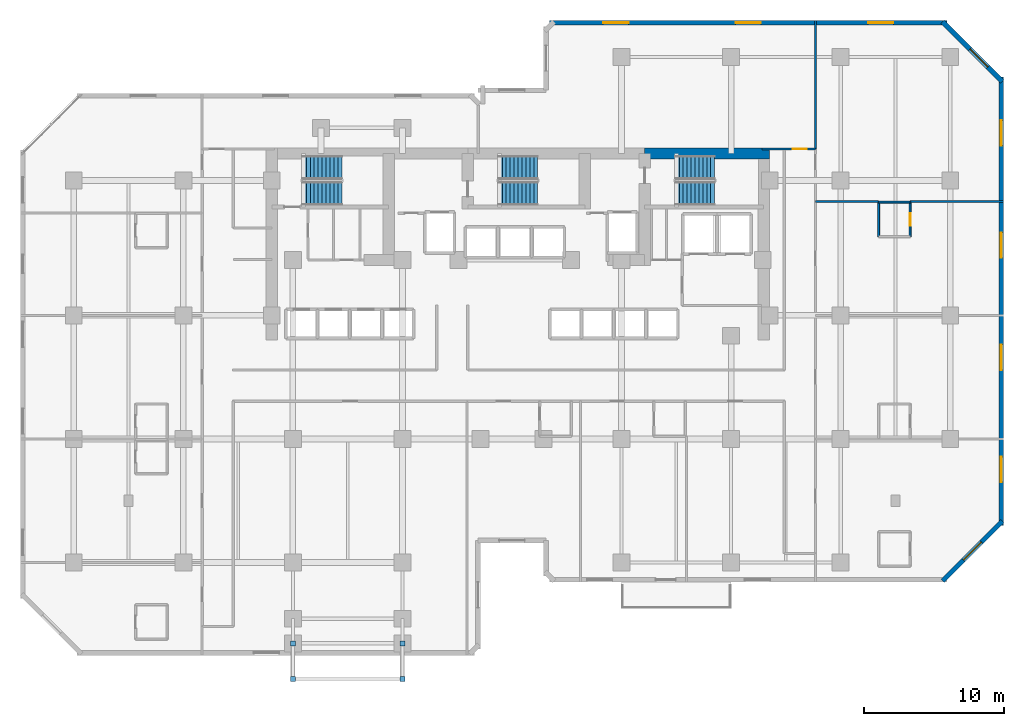
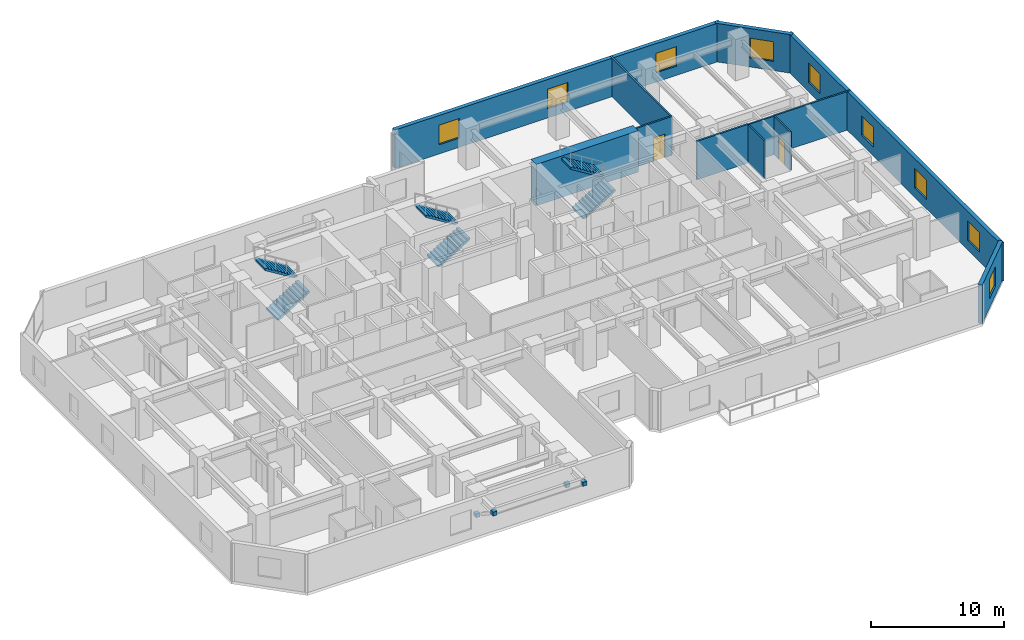
# One storey, part 10 of 12: 12 walls, 9 windows, 6 stair flights, 4 discrete accessories, 2 doors, 11 openings, 3 elements without a shape of their own.
"""IFC4 building model written with IfcOpenShell, lengths in metres."""

from ifc_helpers import new_model, si_unit, direction, frame, frame_2d, origin, origin_2d, place, context, subcontext, project, spatial, polyline, rectangle, outline, extrude, material, layer, layer_set, type_object, element, fill, aggregate, save


model = new_model("IFC4")

# Units and contexts
model_context = context("Model", 3, precision=1e-05, world=origin(), true_north=direction((0.0, 1.0)))
body_context = subcontext(model_context, "Body", "Model", "MODEL_VIEW")
ifc_project = project(units=[si_unit("LENGTHUNIT", "METRE"), si_unit("AREAUNIT", "SQUARE_METRE"), si_unit("VOLUMEUNIT", "CUBIC_METRE"), si_unit("PLANEANGLEUNIT", "RADIAN"), si_unit("MASSUNIT", "GRAM", prefix="KILO")], contexts=[model_context])

# Site, building, storey
site_placement = place(None, origin())
site = spatial("IfcSite", under=ifc_project, at=site_placement, CompositionType="ELEMENT")
building_placement = place(site_placement, origin())
building = spatial("IfcBuilding", under=site, at=building_placement, Name="Kestravale Grand Hotel", CompositionType="ELEMENT")
storey_placement = place(building_placement, frame((0.0, 0.0, 91.800048828125)))
storey = spatial("IfcBuildingStorey", under=building, at=storey_placement, Name="L22", CompositionType="ELEMENT", Elevation=91.800048828125)

# Wall
ifc_material_1 = material(Name="Concrete f'c 60 MPa", Category="concrete")
ifc_layer_1 = layer(ifc_material_1, 0.800048828125)
ifc_layer_set_1 = layer_set([ifc_layer_1], Name="EW-CORE-800")
wall_type_1 = type_object("IfcWallType", Name="EW-CORE-800", PredefinedType="SHEAR", material=ifc_layer_set_1)
wall_1_placement = place(storey_placement, frame((48.449951171875, 40.320068359375, 0.0), z_axis=(0.0, 0.0, 1.0), x_axis=(1.0, 0.0, 0.0)))
element("IfcWall", 1, at=wall_1_placement, inside=storey, type_object=wall_type_1, Name="L22 core shear wall N3", PredefinedType="SHEAR", context=body_context, shape_type="SweptSolid", body=[
    extrude(rectangle(XDim=8.8701171875, YDim=0.800048828125, at=frame_2d((4.43505859375, 0.0))), origin(), (0.0, 0.0, 1.0), 3.800048828125),
])

# Wall, opening, window
ifc_material_2 = material(Name="Precast concrete f'c 45 MPa", Category="concrete")
ifc_layer_2 = layer(ifc_material_2, 0.340087890625)
ifc_layer_set_2 = layer_set([ifc_layer_2], Name="EW-PREC-340")
wall_type_2 = type_object("IfcWallType", Name="EW-PREC-340", PredefinedType="SOLIDWALL", material=ifc_layer_set_2)
wall_2_placement = place(storey_placement, frame((69.651611328125, 9.891845703125, 0.0), z_axis=(0.0, 0.0, 1.0), x_axis=(0.707106781187, 0.707106781187, 0.0)))
wall_2 = element("IfcWall", 2, at=wall_2_placement, inside=storey, type_object=wall_type_2, Name="L22 fluted precast facade wall 8", PredefinedType="SOLIDWALL", context=body_context, shape_type="SweptSolid", body=[
    extrude(rectangle(XDim=6.019775390625, YDim=0.340087890625, at=frame_2d((3.009765625, 0.0))), origin(), (0.0, 0.0, 1.0), 3.5400390625),
])
opening_1_placement = place(wall_2_placement, frame((2.10986328125, 0.0, 0.85009765625)))
opening_1 = element("IfcOpeningElement", 3, at=opening_1_placement, cuts=wall_2, Name="Opening W-GUEST-1800", PredefinedType="OPENING", context=body_context, shape_type="SweptSolid", body=[
    extrude(rectangle(XDim=1.800048828125, YDim=1.800048828125, at=frame_2d((0.89990234375, 0.89990234375))), frame((0.0, 0.179931640625, 0.0), z_axis=(0.0, -1.0, 0.0), x_axis=(1.0, 0.0, 0.0)), (0.0, 0.0, 1.0), 0.360107421875),
])
ifc_material_3 = material(Name="Insulated low-E double glazing in aluminium frame", Category="aluminium")
window_type = type_object("IfcWindowType", Name="W-GUEST-1800", PartitioningType="DOUBLE_PANEL_VERTICAL", PredefinedType="WINDOW", material=ifc_material_3)
window_1_placement = place(opening_1_placement, origin())
window_1 = element("IfcWindow", 4, at=window_1_placement, inside=storey, type_object=window_type, Name="L22 exterior window 8.1", OverallHeight=1.800048828125, OverallWidth=1.800048828125, PartitioningType="SINGLE_PANEL", PredefinedType="WINDOW", context=body_context, shape_type="SweptSolid", body=[
    extrude(rectangle(XDim=1.800048828125, YDim=1.800048828125, at=frame_2d((0.89990234375, 0.89990234375))), frame((0.0, 0.030029296875, 0.0), z_axis=(0.0, -1.0, 0.0), x_axis=(1.0, 0.0, 0.0)), (0.0, 0.0, 1.0), 0.06005859375),
])
fill(opening_1, window_1)

# Wall, openings, windows
wall_3_placement = place(storey_placement, frame((73.830078125, 13.830078125, 0.0), z_axis=(0.0, 0.0, 1.0), x_axis=(0.0, 1.0, 0.0)))
wall_3 = element("IfcWall", 5, at=wall_3_placement, inside=storey, type_object=wall_type_2, Name="L22 fluted precast facade wall 9", PredefinedType="SOLIDWALL", context=body_context, shape_type="SweptSolid", body=[
    extrude(rectangle(XDim=31.93994140625, YDim=0.340087890625, at=frame_2d((15.969970703125, 0.0))), origin(), (0.0, 0.0, 1.0), 3.5400390625),
])
opening_2_placement = place(wall_3_placement, frame((3.092529296875, 0.0, 0.85009765625)))
opening_2 = element("IfcOpeningElement", 6, at=opening_2_placement, cuts=wall_3, Name="Opening W-GUEST-1800", PredefinedType="OPENING", context=body_context, shape_type="SweptSolid", body=[
    extrude(rectangle(XDim=1.800048828125, YDim=1.800048828125, at=frame_2d((0.89990234375, 0.89990234375))), frame((0.0, 0.179931640625, 0.0), z_axis=(0.0, -1.0, 0.0), x_axis=(1.0, 0.0, 0.0)), (0.0, 0.0, 1.0), 0.360107421875),
])
opening_3_placement = place(wall_3_placement, frame((11.077392578125, 0.0, 0.85009765625)))
opening_3 = element("IfcOpeningElement", 7, at=opening_3_placement, cuts=wall_3, Name="Opening W-GUEST-1800", PredefinedType="OPENING", context=body_context, shape_type="SweptSolid", body=[
    extrude(rectangle(XDim=1.800048828125, YDim=1.800048828125, at=frame_2d((0.89990234375, 0.89990234375))), frame((0.0, 0.179931640625, 0.0), z_axis=(0.0, -1.0, 0.0), x_axis=(1.0, 0.0, 0.0)), (0.0, 0.0, 1.0), 0.360107421875),
])
opening_4_placement = place(wall_3_placement, frame((19.0625, 0.0, 0.85009765625)))
opening_4 = element("IfcOpeningElement", 8, at=opening_4_placement, cuts=wall_3, Name="Opening W-GUEST-1800", PredefinedType="OPENING", context=body_context, shape_type="SweptSolid", body=[
    extrude(rectangle(XDim=1.800048828125, YDim=1.800048828125, at=frame_2d((0.89990234375, 0.89990234375))), frame((0.0, 0.179931640625, 0.0), z_axis=(0.0, -1.0, 0.0), x_axis=(1.0, 0.0, 0.0)), (0.0, 0.0, 1.0), 0.360107421875),
])
opening_5_placement = place(wall_3_placement, frame((27.047607421875, 0.0, 0.85009765625)))
opening_5 = element("IfcOpeningElement", 9, at=opening_5_placement, cuts=wall_3, Name="Opening W-GUEST-1800", PredefinedType="OPENING", context=body_context, shape_type="SweptSolid", body=[
    extrude(rectangle(XDim=1.800048828125, YDim=1.800048828125, at=frame_2d((0.89990234375, 0.89990234375))), frame((0.0, 0.179931640625, 0.0), z_axis=(0.0, -1.0, 0.0), x_axis=(1.0, 0.0, 0.0)), (0.0, 0.0, 1.0), 0.360107421875),
])
window_2_placement = place(opening_2_placement, origin())
window_2 = element("IfcWindow", 10, at=window_2_placement, inside=storey, type_object=window_type, Name="L22 exterior window 9.1", OverallHeight=1.800048828125, OverallWidth=1.800048828125, PartitioningType="SINGLE_PANEL", PredefinedType="WINDOW", context=body_context, shape_type="SweptSolid", body=[
    extrude(rectangle(XDim=1.800048828125, YDim=1.800048828125, at=frame_2d((0.89990234375, 0.89990234375))), frame((0.0, 0.030029296875, 0.0), z_axis=(0.0, -1.0, 0.0), x_axis=(1.0, 0.0, 0.0)), (0.0, 0.0, 1.0), 0.06005859375),
])
fill(opening_2, window_2)
window_3_placement = place(opening_3_placement, origin())
window_3 = element("IfcWindow", 11, at=window_3_placement, inside=storey, type_object=window_type, Name="L22 exterior window 9.2", OverallHeight=1.800048828125, OverallWidth=1.800048828125, PartitioningType="SINGLE_PANEL", PredefinedType="WINDOW", context=body_context, shape_type="SweptSolid", body=[
    extrude(rectangle(XDim=1.800048828125, YDim=1.800048828125, at=frame_2d((0.89990234375, 0.89990234375))), frame((0.0, 0.030029296875, 0.0), z_axis=(0.0, -1.0, 0.0), x_axis=(1.0, 0.0, 0.0)), (0.0, 0.0, 1.0), 0.06005859375),
])
fill(opening_3, window_3)
window_4_placement = place(opening_4_placement, origin())
window_4 = element("IfcWindow", 12, at=window_4_placement, inside=storey, type_object=window_type, Name="L22 exterior window 9.3", OverallHeight=1.800048828125, OverallWidth=1.800048828125, PartitioningType="SINGLE_PANEL", PredefinedType="WINDOW", context=body_context, shape_type="SweptSolid", body=[
    extrude(rectangle(XDim=1.800048828125, YDim=1.800048828125, at=frame_2d((0.89990234375, 0.89990234375))), frame((0.0, 0.030029296875, 0.0), z_axis=(0.0, -1.0, 0.0), x_axis=(1.0, 0.0, 0.0)), (0.0, 0.0, 1.0), 0.06005859375),
])
fill(opening_4, window_4)
window_5_placement = place(opening_5_placement, origin())
window_5 = element("IfcWindow", 13, at=window_5_placement, inside=storey, type_object=window_type, Name="L22 exterior window 9.4", OverallHeight=1.800048828125, OverallWidth=1.800048828125, PartitioningType="SINGLE_PANEL", PredefinedType="WINDOW", context=body_context, shape_type="SweptSolid", body=[
    extrude(rectangle(XDim=1.800048828125, YDim=1.800048828125, at=frame_2d((0.89990234375, 0.89990234375))), frame((0.0, 0.030029296875, 0.0), z_axis=(0.0, -1.0, 0.0), x_axis=(1.0, 0.0, 0.0)), (0.0, 0.0, 1.0), 0.06005859375),
])
fill(opening_5, window_5)

# Wall, opening, window
wall_4_placement = place(storey_placement, frame((73.908203125, 45.451416015625, 0.0), z_axis=(0.0, 0.0, 1.0), x_axis=(-0.707106781187, 0.707106781187, 0.0)))
wall_4 = element("IfcWall", 14, at=wall_4_placement, inside=storey, type_object=wall_type_2, Name="L22 fluted precast facade wall 10", PredefinedType="SOLIDWALL", context=body_context, shape_type="SweptSolid", body=[
    extrude(rectangle(XDim=6.019775390625, YDim=0.340087890625, at=frame_2d((3.009765625, 0.0))), origin(), (0.0, 0.0, 1.0), 3.5400390625),
])
opening_6_placement = place(wall_4_placement, frame((1.4599609375, 0.0, 0.85009765625)))
opening_6 = element("IfcOpeningElement", 15, at=opening_6_placement, cuts=wall_4, Name="Opening W-GUEST-1800", PredefinedType="OPENING", context=body_context, shape_type="SweptSolid", body=[
    extrude(rectangle(XDim=1.800048828125, YDim=1.800048828125, at=frame_2d((0.89990234375, 0.89990234375))), frame((0.0, 0.179931640625, 0.0), z_axis=(0.0, -1.0, 0.0), x_axis=(1.0, 0.0, 0.0)), (0.0, 0.0, 1.0), 0.360107421875),
])
window_6_placement = place(opening_6_placement, origin())
window_6 = element("IfcWindow", 16, at=window_6_placement, inside=storey, type_object=window_type, Name="L22 exterior window 10.1", OverallHeight=1.800048828125, OverallWidth=1.800048828125, PartitioningType="SINGLE_PANEL", PredefinedType="WINDOW", context=body_context, shape_type="SweptSolid", body=[
    extrude(rectangle(XDim=1.800048828125, YDim=1.800048828125, at=frame_2d((0.89990234375, 0.89990234375))), frame((0.0, 0.030029296875, 0.0), z_axis=(0.0, -1.0, 0.0), x_axis=(1.0, 0.0, 0.0)), (0.0, 0.0, 1.0), 0.06005859375),
])
fill(opening_6, window_6)

# Wall, openings, windows
wall_5_placement = place(storey_placement, frame((69.969970703125, 49.6298828125, 0.0), z_axis=(0.0, 0.0, 1.0), x_axis=(-1.0, 0.0, 0.0)))
wall_5 = element("IfcWall", 17, at=wall_5_placement, inside=storey, type_object=wall_type_2, Name="L22 fluted precast facade wall 11", PredefinedType="SOLIDWALL", context=body_context, shape_type="SweptSolid", body=[
    extrude(rectangle(XDim=28.2900390625, YDim=0.340087890625, at=frame_2d((14.14501953125, 0.0))), origin(), (0.0, 0.0, 1.0), 3.5400390625),
])
opening_7_placement = place(wall_5_placement, frame((3.81494140625, 0.0, 0.85009765625)))
opening_7 = element("IfcOpeningElement", 18, at=opening_7_placement, cuts=wall_5, Name="Opening W-GUEST-1800", PredefinedType="OPENING", context=body_context, shape_type="SweptSolid", body=[
    extrude(rectangle(XDim=1.800048828125, YDim=1.800048828125, at=frame_2d((0.89990234375, 0.89990234375))), frame((0.0, 0.179931640625, 0.0), z_axis=(0.0, -1.0, 0.0), x_axis=(1.0, 0.0, 0.0)), (0.0, 0.0, 1.0), 0.360107421875),
])
opening_8_placement = place(wall_5_placement, frame((13.2451171875, 0.0, 0.85009765625)))
opening_8 = element("IfcOpeningElement", 19, at=opening_8_placement, cuts=wall_5, Name="Opening W-GUEST-1800", PredefinedType="OPENING", context=body_context, shape_type="SweptSolid", body=[
    extrude(rectangle(XDim=1.800048828125, YDim=1.800048828125, at=frame_2d((0.89990234375, 0.89990234375))), frame((0.0, 0.179931640625, 0.0), z_axis=(0.0, -1.0, 0.0), x_axis=(1.0, 0.0, 0.0)), (0.0, 0.0, 1.0), 0.360107421875),
])
opening_9_placement = place(wall_5_placement, frame((22.675048828125, 0.0, 0.85009765625)))
opening_9 = element("IfcOpeningElement", 20, at=opening_9_placement, cuts=wall_5, Name="Opening W-GUEST-1800", PredefinedType="OPENING", context=body_context, shape_type="SweptSolid", body=[
    extrude(rectangle(XDim=1.800048828125, YDim=1.800048828125, at=frame_2d((0.89990234375, 0.89990234375))), frame((0.0, 0.179931640625, 0.0), z_axis=(0.0, -1.0, 0.0), x_axis=(1.0, 0.0, 0.0)), (0.0, 0.0, 1.0), 0.360107421875),
])
window_7_placement = place(opening_7_placement, origin())
window_7 = element("IfcWindow", 21, at=window_7_placement, inside=storey, type_object=window_type, Name="L22 exterior window 11.1", OverallHeight=1.800048828125, OverallWidth=1.800048828125, PartitioningType="SINGLE_PANEL", PredefinedType="WINDOW", context=body_context, shape_type="SweptSolid", body=[
    extrude(rectangle(XDim=1.800048828125, YDim=1.800048828125, at=frame_2d((0.89990234375, 0.89990234375))), frame((0.0, 0.030029296875, 0.0), z_axis=(0.0, -1.0, 0.0), x_axis=(1.0, 0.0, 0.0)), (0.0, 0.0, 1.0), 0.06005859375),
])
fill(opening_7, window_7)
window_8_placement = place(opening_8_placement, origin())
window_8 = element("IfcWindow", 22, at=window_8_placement, inside=storey, type_object=window_type, Name="L22 exterior window 11.2", OverallHeight=1.800048828125, OverallWidth=1.800048828125, PartitioningType="SINGLE_PANEL", PredefinedType="WINDOW", context=body_context, shape_type="SweptSolid", body=[
    extrude(rectangle(XDim=1.800048828125, YDim=1.800048828125, at=frame_2d((0.89990234375, 0.89990234375))), frame((0.0, 0.030029296875, 0.0), z_axis=(0.0, -1.0, 0.0), x_axis=(1.0, 0.0, 0.0)), (0.0, 0.0, 1.0), 0.06005859375),
])
fill(opening_8, window_8)
window_9_placement = place(opening_9_placement, origin())
window_9 = element("IfcWindow", 23, at=window_9_placement, inside=storey, type_object=window_type, Name="L22 exterior window 11.3", OverallHeight=1.800048828125, OverallWidth=1.800048828125, PartitioningType="SINGLE_PANEL", PredefinedType="WINDOW", context=body_context, shape_type="SweptSolid", body=[
    extrude(rectangle(XDim=1.800048828125, YDim=1.800048828125, at=frame_2d((0.89990234375, 0.89990234375))), frame((0.0, 0.030029296875, 0.0), z_axis=(0.0, -1.0, 0.0), x_axis=(1.0, 0.0, 0.0)), (0.0, 0.0, 1.0), 0.06005859375),
])
fill(opening_9, window_9)

# Wall
ifc_material_4 = material(Name="Moisture-resistant tile-backer plumbing chase wall", Category="other")
ifc_layer_3 = layer(ifc_material_4, 0.139892578125)
ifc_layer_set_3 = layer_set([ifc_layer_3], Name="IW-PLB-140")
wall_type_3 = type_object("IfcWallType", Name="IW-PLB-140", PredefinedType="PLUMBINGWALL", material=ifc_layer_set_3)
wall_6_placement = place(storey_placement, frame((65.10009765625, 34.409912109375, 0.0), z_axis=(0.0, 0.0, 1.0), x_axis=(0.0, 1.0, 0.0)))
element("IfcWall", 24, at=wall_6_placement, inside=storey, type_object=wall_type_3, Name="W-L22-U09-BW", PredefinedType="PLUMBINGWALL", context=body_context, shape_type="SweptSolid", body=[
    extrude(rectangle(XDim=2.4501953125, YDim=0.139892578125, at=frame_2d((1.22509765625, 0.0))), origin(), (0.0, 0.0, 1.0), 3.5400390625),
])

# Wall, opening, door
wall_7_placement = place(storey_placement, frame((67.35009765625, 34.409912109375, 0.0), z_axis=(0.0, 0.0, 1.0), x_axis=(0.0, 1.0, 0.0)))
wall_7 = element("IfcWall", 25, at=wall_7_placement, inside=storey, type_object=wall_type_3, Name="W-L22-U09-BE", PredefinedType="PLUMBINGWALL", context=body_context, shape_type="SweptSolid", body=[
    extrude(rectangle(XDim=2.4501953125, YDim=0.139892578125, at=frame_2d((1.22509765625, 0.0))), origin(), (0.0, 0.0, 1.0), 3.5400390625),
])
opening_10_placement = place(wall_7_placement, frame((0.784912109375, 0.0, 0.0)))
opening_10 = element("IfcOpeningElement", 26, at=opening_10_placement, cuts=wall_7, Name="Opening D-BATH-880", PredefinedType="OPENING", context=body_context, shape_type="SweptSolid", body=[
    extrude(rectangle(XDim=0.8798828125, YDim=2.050048828125, at=frame_2d((0.43994140625, 1.02490234375))), frame((0.0, 0.079833984375, 0.0), z_axis=(0.0, -1.0, 0.0), x_axis=(1.0, 0.0, 0.0)), (0.0, 0.0, 1.0), 0.159912109375),
])
ifc_material_5 = material(Name="Moisture-sealed walnut en-suite bathroom door", Category="wood")
door_type_1 = type_object("IfcDoorType", Name="D-BATH-880", OperationType="NOTDEFINED", PredefinedType="DOOR", material=ifc_material_5)
door_1_placement = place(opening_10_placement, origin())
door_1 = element("IfcDoor", 27, at=door_1_placement, inside=storey, type_object=door_type_1, Name="D-L22-U09-BATH", OperationType="SINGLE_SWING_RIGHT", OverallHeight=2.050048828125, OverallWidth=0.8798828125, PredefinedType="DOOR", context=body_context, shape_type="SweptSolid", body=[
    extrude(rectangle(XDim=0.8798828125, YDim=2.050048828125, at=frame_2d((0.43994140625, 1.02490234375))), frame((0.0, 0.02490234375, 0.0), z_axis=(0.0, -1.0, 0.0), x_axis=(1.0, 0.0, 0.0)), (0.0, 0.0, 1.0), 0.050048828125),
])
fill(opening_10, door_1)

# Wall
wall_8_placement = place(storey_placement, frame((65.10009765625, 36.860107421875, 0.0), z_axis=(0.0, 0.0, 1.0), x_axis=(1.0, 0.0, 0.0)))
element("IfcWall", 28, at=wall_8_placement, inside=storey, type_object=wall_type_3, Name="W-L22-U09-BN", PredefinedType="PLUMBINGWALL", context=body_context, shape_type="SweptSolid", body=[
    extrude(rectangle(XDim=2.25, YDim=0.139892578125, at=frame_2d((1.125, 0.0))), origin(), (0.0, 0.0, 1.0), 3.5400390625),
])

# Wall, opening, door
ifc_material_6 = material(Name="Double-stud STC 52 acoustic demising partition", Category="other")
ifc_layer_4 = layer(ifc_material_6, 0.14990234375)
ifc_layer_set_4 = layer_set([ifc_layer_4], Name="IW-UNIT-150")
wall_type_4 = type_object("IfcWallType", Name="IW-UNIT-150", PredefinedType="PARTITIONING", material=ifc_layer_set_4)
wall_9_placement = place(storey_placement, frame((56.800048828125, 40.64990234375, 0.0), z_axis=(0.0, 0.0, 1.0), x_axis=(1.0, 0.0, 0.0)))
wall_9 = element("IfcWall", 29, at=wall_9_placement, inside=storey, type_object=wall_type_4, Name="W-L22-SE-N", PredefinedType="PARTITIONING", context=body_context, shape_type="SweptSolid", body=[
    extrude(rectangle(XDim=3.81005859375, YDim=0.14990234375, at=frame_2d((1.905029296875, 0.0))), origin(), (0.0, 0.0, 1.0), 3.5400390625),
])
opening_11_placement = place(wall_9_placement, frame((2.199951171875, 0.0, 0.0)))
opening_11 = element("IfcOpeningElement", 30, at=opening_11_placement, cuts=wall_9, Name="Opening D-GUEST-1000", PredefinedType="OPENING", context=body_context, shape_type="SweptSolid", body=[
    extrude(rectangle(XDim=1.0, YDim=2.14990234375, at=frame_2d((0.5, 1.074951171875))), frame((0.0, 0.0849609375, 0.0), z_axis=(0.0, -1.0, 0.0), x_axis=(1.0, 0.0, 0.0)), (0.0, 0.0, 1.0), 0.169921875),
])
ifc_material_7 = material(Name="Accessible walnut veneer hotel entrance fire door", Category="wood")
door_type_2 = type_object("IfcDoorType", Name="D-GUEST-1000", OperationType="NOTDEFINED", PredefinedType="DOOR", material=ifc_material_7)
door_2_placement = place(opening_11_placement, origin())
door_2 = element("IfcDoor", 31, at=door_2_placement, inside=storey, type_object=door_type_2, Name="L22 NE Gallery Door", OperationType="SINGLE_SWING_LEFT", OverallHeight=2.14990234375, OverallWidth=1.0, PredefinedType="DOOR", context=body_context, shape_type="SweptSolid", body=[
    extrude(rectangle(XDim=1.0, YDim=2.14990234375, at=frame_2d((0.5, 1.074951171875))), frame((0.0, 0.02490234375, 0.0), z_axis=(0.0, -1.0, 0.0), x_axis=(1.0, 0.0, 0.0)), (0.0, 0.0, 1.0), 0.050048828125),
])
fill(opening_11, door_2)

# Walls
wall_10_placement = place(storey_placement, frame((60.610107421875, 40.64990234375, 0.0), z_axis=(0.0, 0.0, 1.0), x_axis=(0.0, 1.0, 0.0)))
element("IfcWall", 32, at=wall_10_placement, inside=storey, type_object=wall_type_4, Name="W-L22-NGE-E", PredefinedType="PARTITIONING", context=body_context, shape_type="SweptSolid", body=[
    extrude(rectangle(XDim=9.130126953125, YDim=0.14990234375, at=frame_2d((4.56494140625, 0.0))), origin(), (0.0, 0.0, 1.0), 3.5400390625),
])
wall_11_placement = place(storey_placement, frame((60.610107421875, 36.89990234375, 0.0), z_axis=(0.0, 0.0, 1.0), x_axis=(1.0, 0.0, 0.0)))
element("IfcWall", 33, at=wall_11_placement, inside=storey, type_object=wall_type_4, Name="W-L22-EW-3", PredefinedType="PARTITIONING", context=body_context, shape_type="SweptSolid", body=[
    extrude(rectangle(XDim=4.489990234375, YDim=0.14990234375, at=frame_2d((2.2451171875, 0.0))), origin(), (0.0, 0.0, 1.0), 3.5400390625),
])
wall_12_placement = place(storey_placement, frame((67.35009765625, 36.89990234375, 0.0), z_axis=(0.0, 0.0, 1.0), x_axis=(1.0, 0.0, 0.0)))
element("IfcWall", 34, at=wall_12_placement, inside=storey, type_object=wall_type_4, Name="W-L22-EW-3", PredefinedType="PARTITIONING", context=body_context, shape_type="SweptSolid", body=[
    extrude(rectangle(XDim=6.6298828125, YDim=0.14990234375, at=frame_2d((3.31494140625, 0.0))), origin(), (0.0, 0.0, 1.0), 3.5400390625),
])

# Stair, stair flights
ifc_material_8 = material(Name="Concrete f'c 45 MPa", Category="concrete")
stair_type = type_object("IfcStairType", Name="ST-CORE-380", PredefinedType="HALF_TURN_STAIR", material=ifc_material_8)
stair_1_placement = place(storey_placement, origin())
stair_1 = element("IfcStair", 35, at=stair_1_placement, inside=storey, type_object=stair_type, Name="L22 ST-1", PredefinedType="HALF_TURN_STAIR")
ifc_material_9 = material(Name="Concrete f'c 45 MPa", Category="concrete")
stair_flight_type = type_object("IfcStairFlightType", Name="STF-CORE-380", PredefinedType="STRAIGHT", material=ifc_material_9)
stair_flight_1_placement = place(storey_placement, frame((24.080078125, 37.489990234375, 0.0), z_axis=(0.0, 0.0, 1.0), x_axis=(1.0, 0.0, 0.0)))
stair_flight_1 = element("IfcStairFlight", 36, at=stair_flight_1_placement, type_object=stair_flight_type, Name="ST-1 flight 1", NumberOfRisers=11, NumberOfTreads=10, PredefinedType="STRAIGHT", RiserHeight=0.172727273, TreadLength=0.28, context=body_context, shape_type="SweptSolid", body=[
    extrude(outline(polyline([(0.0, 0.0), (0.0, 0.172607421875), (0.280029296875, 0.172607421875), (0.280029296875, 0.345458984375), (0.56005859375, 0.345458984375), (0.56005859375, 0.51806640625), (0.840087890625, 0.51806640625), (0.840087890625, 0.69091796875), (1.1201171875, 0.69091796875), (1.1201171875, 0.863525390625), (1.39990234375, 0.863525390625), (1.39990234375, 1.036376953125), (1.679931640625, 1.036376953125), (1.679931640625, 1.208984375), (1.9599609375, 1.208984375), (1.9599609375, 1.3818359375), (2.239990234375, 1.3818359375), (2.239990234375, 1.554443359375), (2.52001953125, 1.554443359375), (2.52001953125, 1.727294921875), (2.800048828125, 1.727294921875), (2.800048828125, 1.89990234375), (2.800048828125, 1.551025390625), (0.285400390625, 0.0), (0.0, 0.0)])), frame((0.0, 0.83984375, 0.0), z_axis=(0.0, -1.0, 0.0), x_axis=(1.0, 0.0, 0.0)), (0.0, 0.0, 1.0), 1.679931640625),
])
stair_flight_2_placement = place(storey_placement, frame((26.8798828125, 39.320068359375, 1.89990234375), z_axis=(0.0, 0.0, 1.0), x_axis=(-1.0, 0.0, 0.0)))
stair_flight_2 = element("IfcStairFlight", 37, at=stair_flight_2_placement, type_object=stair_flight_type, Name="ST-1 flight 2", NumberOfRisers=11, NumberOfTreads=10, PredefinedType="STRAIGHT", RiserHeight=0.172727273, TreadLength=0.28, context=body_context, shape_type="SweptSolid", body=[
    extrude(outline(polyline([(0.0, 0.0), (0.0, 0.172607421875), (0.280029296875, 0.172607421875), (0.280029296875, 0.345458984375), (0.56005859375, 0.345458984375), (0.56005859375, 0.51806640625), (0.840087890625, 0.51806640625), (0.840087890625, 0.69091796875), (1.1201171875, 0.69091796875), (1.1201171875, 0.863525390625), (1.39990234375, 0.863525390625), (1.39990234375, 1.036376953125), (1.679931640625, 1.036376953125), (1.679931640625, 1.208984375), (1.9599609375, 1.208984375), (1.9599609375, 1.3818359375), (2.239990234375, 1.3818359375), (2.239990234375, 1.554443359375), (2.52001953125, 1.554443359375), (2.52001953125, 1.727294921875), (2.800048828125, 1.727294921875), (2.800048828125, 1.89990234375), (2.800048828125, 1.551025390625), (0.285400390625, 0.0), (0.0, 0.0)])), frame((0.0, 0.83984375, 0.0), z_axis=(0.0, -1.0, 0.0), x_axis=(1.0, 0.0, 0.0)), (0.0, 0.0, 1.0), 1.679931640625),
])
aggregate(stair_1, [stair_flight_1, stair_flight_2])

stair_2_placement = place(storey_placement, origin())
stair_2 = element("IfcStair", 38, at=stair_2_placement, inside=storey, type_object=stair_type, Name="L22 ST-2", PredefinedType="HALF_TURN_STAIR")
stair_flight_3_placement = place(storey_placement, frame((38.030029296875, 37.489990234375, 0.0), z_axis=(0.0, 0.0, 1.0), x_axis=(1.0, 0.0, 0.0)))
stair_flight_3 = element("IfcStairFlight", 39, at=stair_flight_3_placement, type_object=stair_flight_type, Name="ST-2 flight 1", NumberOfRisers=11, NumberOfTreads=10, PredefinedType="STRAIGHT", RiserHeight=0.172727273, TreadLength=0.28, context=body_context, shape_type="SweptSolid", body=[
    extrude(outline(polyline([(0.0, 0.0), (0.0, 0.172607421875), (0.280029296875, 0.172607421875), (0.280029296875, 0.345458984375), (0.56005859375, 0.345458984375), (0.56005859375, 0.51806640625), (0.840087890625, 0.51806640625), (0.840087890625, 0.69091796875), (1.1201171875, 0.69091796875), (1.1201171875, 0.863525390625), (1.39990234375, 0.863525390625), (1.39990234375, 1.036376953125), (1.679931640625, 1.036376953125), (1.679931640625, 1.208984375), (1.9599609375, 1.208984375), (1.9599609375, 1.3818359375), (2.239990234375, 1.3818359375), (2.239990234375, 1.554443359375), (2.52001953125, 1.554443359375), (2.52001953125, 1.727294921875), (2.800048828125, 1.727294921875), (2.800048828125, 1.89990234375), (2.800048828125, 1.551025390625), (0.285400390625, 0.0), (0.0, 0.0)])), frame((0.0, 0.83984375, 0.0), z_axis=(0.0, -1.0, 0.0), x_axis=(1.0, 0.0, 0.0)), (0.0, 0.0, 1.0), 1.679931640625),
])
stair_flight_4_placement = place(storey_placement, frame((40.830078125, 39.320068359375, 1.89990234375), z_axis=(0.0, 0.0, 1.0), x_axis=(-1.0, 0.0, 0.0)))
stair_flight_4 = element("IfcStairFlight", 40, at=stair_flight_4_placement, type_object=stair_flight_type, Name="ST-2 flight 2", NumberOfRisers=11, NumberOfTreads=10, PredefinedType="STRAIGHT", RiserHeight=0.172727273, TreadLength=0.28, context=body_context, shape_type="SweptSolid", body=[
    extrude(outline(polyline([(0.0, 0.0), (0.0, 0.172607421875), (0.280029296875, 0.172607421875), (0.280029296875, 0.345458984375), (0.56005859375, 0.345458984375), (0.56005859375, 0.51806640625), (0.840087890625, 0.51806640625), (0.840087890625, 0.69091796875), (1.1201171875, 0.69091796875), (1.1201171875, 0.863525390625), (1.39990234375, 0.863525390625), (1.39990234375, 1.036376953125), (1.679931640625, 1.036376953125), (1.679931640625, 1.208984375), (1.9599609375, 1.208984375), (1.9599609375, 1.3818359375), (2.239990234375, 1.3818359375), (2.239990234375, 1.554443359375), (2.52001953125, 1.554443359375), (2.52001953125, 1.727294921875), (2.800048828125, 1.727294921875), (2.800048828125, 1.89990234375), (2.800048828125, 1.551025390625), (0.285400390625, 0.0), (0.0, 0.0)])), frame((0.0, 0.83984375, 0.0), z_axis=(0.0, -1.0, 0.0), x_axis=(1.0, 0.0, 0.0)), (0.0, 0.0, 1.0), 1.679931640625),
])
aggregate(stair_2, [stair_flight_3, stair_flight_4])

stair_3_placement = place(storey_placement, origin())
stair_3 = element("IfcStair", 41, at=stair_3_placement, inside=storey, type_object=stair_type, Name="L22 ST-3", PredefinedType="HALF_TURN_STAIR")
stair_flight_5_placement = place(storey_placement, frame((50.6298828125, 37.489990234375, 0.0), z_axis=(0.0, 0.0, 1.0), x_axis=(1.0, 0.0, 0.0)))
stair_flight_5 = element("IfcStairFlight", 42, at=stair_flight_5_placement, type_object=stair_flight_type, Name="ST-3 flight 1", NumberOfRisers=11, NumberOfTreads=10, PredefinedType="STRAIGHT", RiserHeight=0.172727273, TreadLength=0.28, context=body_context, shape_type="SweptSolid", body=[
    extrude(outline(polyline([(0.0, 0.0), (0.0, 0.172607421875), (0.280029296875, 0.172607421875), (0.280029296875, 0.345458984375), (0.56005859375, 0.345458984375), (0.56005859375, 0.51806640625), (0.840087890625, 0.51806640625), (0.840087890625, 0.69091796875), (1.1201171875, 0.69091796875), (1.1201171875, 0.863525390625), (1.39990234375, 0.863525390625), (1.39990234375, 1.036376953125), (1.679931640625, 1.036376953125), (1.679931640625, 1.208984375), (1.9599609375, 1.208984375), (1.9599609375, 1.3818359375), (2.239990234375, 1.3818359375), (2.239990234375, 1.554443359375), (2.52001953125, 1.554443359375), (2.52001953125, 1.727294921875), (2.800048828125, 1.727294921875), (2.800048828125, 1.89990234375), (2.800048828125, 1.551025390625), (0.285400390625, 0.0), (0.0, 0.0)])), frame((0.0, 0.83984375, 0.0), z_axis=(0.0, -1.0, 0.0), x_axis=(1.0, 0.0, 0.0)), (0.0, 0.0, 1.0), 1.679931640625),
])
stair_flight_6_placement = place(storey_placement, frame((53.429931640625, 39.320068359375, 1.89990234375), z_axis=(0.0, 0.0, 1.0), x_axis=(-1.0, 0.0, 0.0)))
stair_flight_6 = element("IfcStairFlight", 43, at=stair_flight_6_placement, type_object=stair_flight_type, Name="ST-3 flight 2", NumberOfRisers=11, NumberOfTreads=10, PredefinedType="STRAIGHT", RiserHeight=0.172727273, TreadLength=0.28, context=body_context, shape_type="SweptSolid", body=[
    extrude(outline(polyline([(0.0, 0.0), (0.0, 0.172607421875), (0.280029296875, 0.172607421875), (0.280029296875, 0.345458984375), (0.56005859375, 0.345458984375), (0.56005859375, 0.51806640625), (0.840087890625, 0.51806640625), (0.840087890625, 0.69091796875), (1.1201171875, 0.69091796875), (1.1201171875, 0.863525390625), (1.39990234375, 0.863525390625), (1.39990234375, 1.036376953125), (1.679931640625, 1.036376953125), (1.679931640625, 1.208984375), (1.9599609375, 1.208984375), (1.9599609375, 1.3818359375), (2.239990234375, 1.3818359375), (2.239990234375, 1.554443359375), (2.52001953125, 1.554443359375), (2.52001953125, 1.727294921875), (2.800048828125, 1.727294921875), (2.800048828125, 1.89990234375), (2.800048828125, 1.551025390625), (0.285400390625, 0.0), (0.0, 0.0)])), frame((0.0, 0.83984375, 0.0), z_axis=(0.0, -1.0, 0.0), x_axis=(1.0, 0.0, 0.0)), (0.0, 0.0, 1.0), 1.679931640625),
])
aggregate(stair_3, [stair_flight_5, stair_flight_6])

# Discrete accessories
ifc_material_10 = material(Name="Steel ASTM A572 Grade 50 hot-dip galvanised bracket", Category="steel")
discrete_accessory_type = type_object("IfcDiscreteAccessoryType", Name="ACC-BRK-STL", PredefinedType="BRACKET", material=ifc_material_10)
for number, where, z_axis, x_axis, name in (
    (44, (23.39990234375, 5.449951171875, 1.19384765625), (0.0, 0.0, 1.0), (1.0, 0.0, 0.0), "L23 terrace strut column bracket 1"),
    (45, (23.39990234375, 2.89990234375, 2.89404296875), (0.0, 0.0, 1.0), (1.0, 0.0, 0.0), "L23 terrace strut beam bracket 1"),
    (46, (31.199951171875, 5.449951171875, 1.19384765625), (0.0, 0.0, 1.0), (1.0, 0.0, 0.0), "L23 terrace strut column bracket 2"),
    (47, (31.199951171875, 2.89990234375, 2.89404296875), (0.0, 0.0, 1.0), (1.0, 0.0, 0.0), "L23 terrace strut beam bracket 2"),
):
    element("IfcDiscreteAccessory", number, at=place(storey_placement, frame(where, z_axis=z_axis, x_axis=x_axis)), inside=storey, type_object=discrete_accessory_type, Name=name, PredefinedType="BRACKET", context=body_context, shape_type="SweptSolid", body=[
        extrude(rectangle(XDim=0.360107421875, YDim=0.360107421875, at=origin_2d()), origin(), (0.0, 0.0, 1.0), 0.360107421875),
    ])

save(model, "model.ifc")
